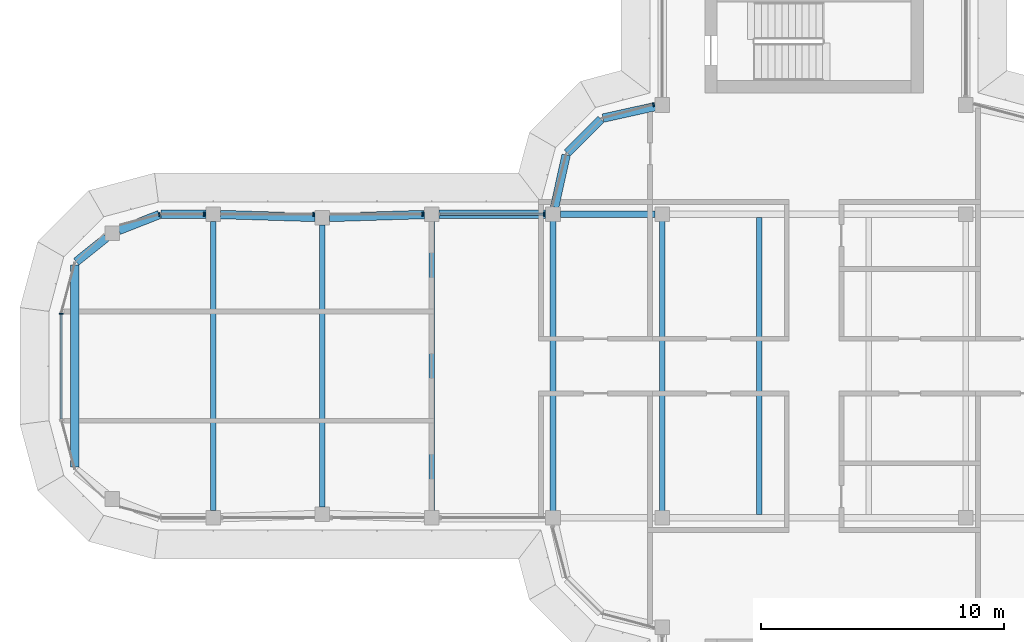
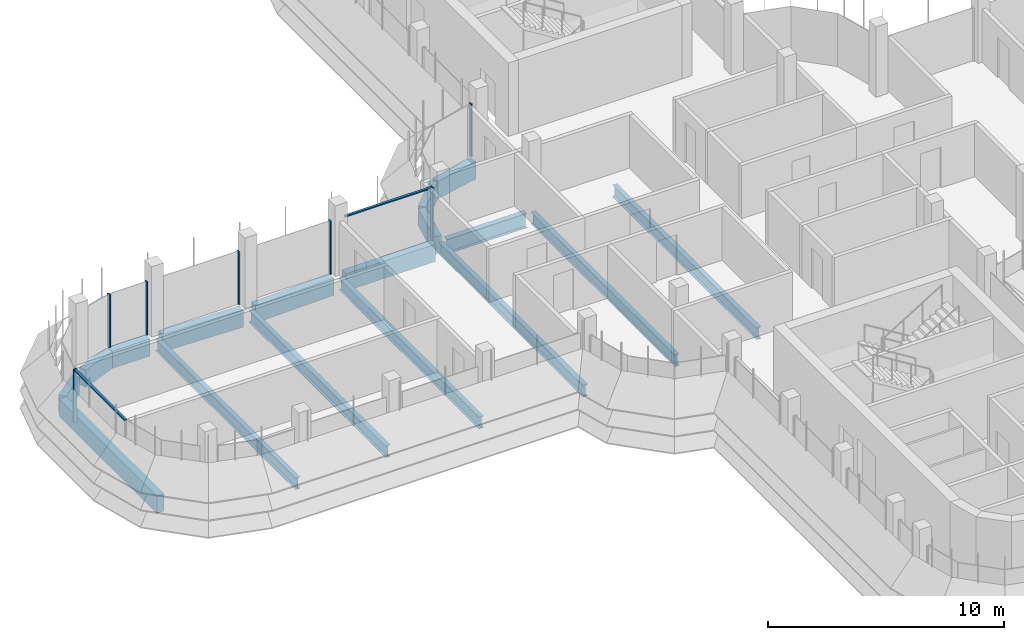
# One storey, part 6 of 19: 17 beams, 9 members, 4 elements without a shape of their own.
"""IFC4 building model written with IfcOpenShell, lengths in metres."""

from ifc_helpers import new_model, si_unit, direction, frame, origin, origin_2d, place, context, subcontext, project, spatial, polyline, rectangle, i_section, outline, extrude, source, transform, mapped, material, material_profile, profile_set, type_object, element, aggregate, save


model = new_model("IFC4")

# Units and contexts
model_context = context("Model", 3, precision=1e-05, world=origin(), true_north=direction((0.0, 1.0)))
body_context = subcontext(model_context, "Body", "Model", "MODEL_VIEW")
ifc_project = project(units=[si_unit("LENGTHUNIT", "METRE"), si_unit("AREAUNIT", "SQUARE_METRE"), si_unit("VOLUMEUNIT", "CUBIC_METRE"), si_unit("PLANEANGLEUNIT", "RADIAN"), si_unit("MASSUNIT", "GRAM", prefix="KILO")], contexts=[model_context])

# Site, building, storey
site_placement = place(None, origin())
site = spatial("IfcSite", under=ifc_project, at=site_placement, CompositionType="ELEMENT")
building_placement = place(site_placement, origin())
building = spatial("IfcBuilding", under=site, at=building_placement, Name="Zarbagh Exchange Tower", CompositionType="ELEMENT")
storey_placement = place(building_placement, frame((0.0, 0.0, 265.0)))
storey = spatial("IfcBuildingStorey", under=building, at=storey_placement, Name="L65", CompositionType="ELEMENT", Elevation=265.0)

# Beams
ifc_material_1 = material(Name="Steel ASTM A992 Gr 50", Category="steel")
ifc_material_profile_1 = material_profile(ifc_material_1, i_section(OverallWidth=0.228271484375, OverallDepth=0.607177734375, WebThickness=0.01123046875, FlangeThickness=0.017333984375, at=origin_2d()), Name="W24X76")
ifc_profile_set_1 = profile_set([ifc_material_profile_1], Name="Steel ASTM A992 Gr 50")
beam_type_1 = type_object("IfcBeamType", Name="Floor beam W24X76", PredefinedType="BEAM", material=ifc_profile_set_1)
for number, where, z_axis, x_axis, name in (
    (1, (-10.75, -6.11669921875, -0.45361328125), (0.0, 1.0, 0.0), (-1.0, 0.0, 0.0), "Steel floor beam"),
    (2, (-6.25, -6.11669921875, -0.45361328125), (0.0, 1.0, 0.0), (-1.0, 0.0, 0.0), "Steel floor beam"),
    (3, (-2.25, -6.11669921875, -0.45361328125), (0.0, 1.0, 0.0), (-1.0, 0.0, 0.0), "Steel floor beam"),
):
    element("IfcBeam", number, at=place(storey_placement, frame(where, z_axis=z_axis, x_axis=x_axis)), inside=storey, type_object=beam_type_1, Name=name, PredefinedType="BEAM", context=body_context, shape_type="SweptSolid", body=[
        extrude(i_section(OverallWidth=0.228271484375, OverallDepth=0.607177734375, WebThickness=0.01123046875, FlangeThickness=0.017333984375, at=origin_2d()), origin(), (0.0, 0.0, 1.0), 12.2333984375),
    ])
beam_1_placement = place(storey_placement, frame((-15.75, -5.949951171875, -0.45361328125), z_axis=(0.0, 1.0, 0.0), x_axis=(-1.0, 0.0, 0.0)))
element("IfcBeam", 4, at=beam_1_placement, inside=storey, type_object=beam_type_1, Name="Steel floor beam", PredefinedType="BEAM", context=body_context, shape_type="SweptSolid", body=[
    extrude(i_section(OverallWidth=0.228271484375, OverallDepth=0.607177734375, WebThickness=0.01123046875, FlangeThickness=0.017333984375, at=origin_2d()), origin(), (0.0, 0.0, 1.0), 11.89990234375),
])
beam_2_placement = place(storey_placement, frame((-20.25, -5.81005859375, -0.45361328125), z_axis=(0.0, 1.0, 0.0), x_axis=(-1.0, 0.0, 0.0)))
element("IfcBeam", 5, at=beam_2_placement, inside=storey, type_object=beam_type_1, Name="Steel floor beam", PredefinedType="BEAM", context=body_context, shape_type="SweptSolid", body=[
    extrude(i_section(OverallWidth=0.228271484375, OverallDepth=0.607177734375, WebThickness=0.01123046875, FlangeThickness=0.017333984375, at=origin_2d()), origin(), (0.0, 0.0, 1.0), 11.6201171875),
])
beam_3_placement = place(storey_placement, frame((-24.75, -5.949951171875, -0.45361328125), z_axis=(0.0, 1.0, 0.0), x_axis=(-1.0, 0.0, 0.0)))
element("IfcBeam", 6, at=beam_3_placement, inside=storey, type_object=beam_type_1, Name="Steel floor beam", PredefinedType="BEAM", context=body_context, shape_type="SweptSolid", body=[
    extrude(i_section(OverallWidth=0.228271484375, OverallDepth=0.607177734375, WebThickness=0.01123046875, FlangeThickness=0.017333984375, at=origin_2d()), origin(), (0.0, 0.0, 1.0), 11.89990234375),
])
ifc_material_profile_2 = material_profile(ifc_material_1, i_section(OverallWidth=0.2666015625, OverallDepth=0.7568359375, WebThickness=0.013916015625, FlangeThickness=0.019287109375, at=origin_2d()), Name="W30X108")
ifc_profile_set_2 = profile_set([ifc_material_profile_2], Name="Steel ASTM A992 Gr 50")
beam_type_2 = type_object("IfcBeamType", Name="Floor girder W30X108", PredefinedType="BEAM", material=ifc_profile_set_2)
beam_4_placement = place(storey_placement, frame((-10.449951171875, 6.25, -0.5283203125), z_axis=(1.0, 0.0, 0.0), x_axis=(0.0, 1.0, 0.0)))
element("IfcBeam", 7, at=beam_4_placement, inside=storey, type_object=beam_type_2, Name="Steel girder", PredefinedType="BEAM", context=body_context, shape_type="SweptSolid", body=[
    extrude(i_section(OverallWidth=0.2666015625, OverallDepth=0.7568359375, WebThickness=0.013916015625, FlangeThickness=0.019287109375, at=origin_2d()), origin(), (0.0, 0.0, 1.0), 3.89990234375),
])
ifc_material_2 = material(Name="Concrete C40/50", Category="concrete")
ifc_material_profile_3 = material_profile(ifc_material_2, rectangle(XDim=0.35009765625, YDim=0.89990234375, at=origin_2d()), Name="RC spandrel beam 350 x 900 C40/50")
ifc_profile_set_3 = profile_set([ifc_material_profile_3], Name="Concrete C40/50")
beam_type_3 = type_object("IfcBeamType", Name="RC spandrel beam 350 x 900 C40/50", PredefinedType="SPANDREL", material=ifc_profile_set_3)
beam_5_placement = place(storey_placement, frame((-30.44873046875, -4.156982421875, -0.60009765625), z_axis=(0.0, 1.0, 0.0), x_axis=(-1.0, 0.0, 0.0)))
element("IfcBeam", 8, at=beam_5_placement, inside=storey, type_object=beam_type_3, Name="RC spandrel beam", PredefinedType="SPANDREL", context=body_context, shape_type="SweptSolid", body=[
    extrude(rectangle(XDim=0.35009765625, YDim=0.89990234375, at=origin_2d()), origin(), (0.0, 0.0, 1.0), 8.31396484375),
])
beam_6_placement = place(storey_placement, frame((-30.38330078125, 4.293701171875, -0.60009765625), z_axis=(0.780584122498, 0.625050740104, 0.0), x_axis=(-0.625050740104, 0.780584122498, 0.0)))
element("IfcBeam", 9, at=beam_6_placement, inside=storey, type_object=beam_type_3, Name="RC spandrel beam", PredefinedType="SPANDREL", context=body_context, shape_type="SweptSolid", body=[
    extrude(rectangle(XDim=0.35009765625, YDim=0.89990234375, at=origin_2d()), origin(), (0.0, 0.0, 1.0), 1.590087890625),
])
beam_7_placement = place(storey_placement, frame((-28.62890625, 5.584716796875, -0.60009765625), z_axis=(0.930859366381, 0.365377667655, 0.0), x_axis=(-0.365377667655, 0.930859366381, 0.0)))
element("IfcBeam", 10, at=beam_7_placement, inside=storey, type_object=beam_type_3, Name="RC spandrel beam", PredefinedType="SPANDREL", context=body_context, shape_type="SweptSolid", body=[
    extrude(rectangle(XDim=0.35009765625, YDim=0.89990234375, at=origin_2d()), origin(), (0.0, 0.0, 1.0), 1.787353515625),
])
beam_8_placement = place(storey_placement, frame((-26.90087890625, 6.25, -0.60009765625), z_axis=(1.0, 0.0, 0.0), x_axis=(0.0, 1.0, 0.0)))
element("IfcBeam", 11, at=beam_8_placement, inside=storey, type_object=beam_type_3, Name="RC spandrel beam", PredefinedType="SPANDREL", context=body_context, shape_type="SweptSolid", body=[
    extrude(rectangle(XDim=0.35009765625, YDim=0.89990234375, at=origin_2d()), origin(), (0.0, 0.0, 1.0), 1.850830078125),
])
for number, where, z_axis, x_axis, name in (
    (12, (-24.4501953125, 6.24072265625, -0.60009765625), (0.999516460907, -0.031094121249, 0.0), (0.031094121249, 0.999516460907, 0.0), "RC spandrel beam"),
    (13, (-19.9501953125, 6.119384765625, -0.60009765625), (0.999516460907, 0.031094121249, 0.0), (-0.031094121249, 0.999516460907, 0.0), "RC spandrel beam"),
):
    element("IfcBeam", number, at=place(storey_placement, frame(where, z_axis=z_axis, x_axis=x_axis)), inside=storey, type_object=beam_type_3, Name=name, PredefinedType="SPANDREL", context=body_context, shape_type="SweptSolid", body=[
        extrude(rectangle(XDim=0.35009765625, YDim=0.89990234375, at=origin_2d()), origin(), (0.0, 0.0, 1.0), 3.90234375),
    ])
beam_9_placement = place(storey_placement, frame((-15.449951171875, 6.25, -0.60009765625), z_axis=(1.0, 0.0, 0.0), x_axis=(0.0, 1.0, 0.0)))
element("IfcBeam", 14, at=beam_9_placement, inside=storey, type_object=beam_type_3, Name="RC spandrel beam", PredefinedType="SPANDREL", context=body_context, shape_type="SweptSolid", body=[
    extrude(rectangle(XDim=0.35009765625, YDim=0.89990234375, at=origin_2d()), origin(), (0.0, 0.0, 1.0), 4.39990234375),
])
beam_10_placement = place(storey_placement, frame((-10.685302734375, 6.54296875, -0.60009765625), z_axis=(0.216025770228, 0.976387662047, 0.0), x_axis=(-0.976387662047, 0.216025770228, 0.0)))
element("IfcBeam", 15, at=beam_10_placement, inside=storey, type_object=beam_type_3, Name="RC spandrel beam", PredefinedType="SPANDREL", context=body_context, shape_type="SweptSolid", body=[
    extrude(rectangle(XDim=0.35009765625, YDim=0.89990234375, at=origin_2d()), origin(), (0.0, 0.0, 1.0), 2.200439453125),
])
beam_11_placement = place(storey_placement, frame((-10.16259765625, 8.77734375, -0.60009765625), z_axis=(0.707106781187, 0.707106781187, 0.0), x_axis=(-0.707106781187, 0.707106781187, 0.0)))
element("IfcBeam", 16, at=beam_11_placement, inside=storey, type_object=beam_type_3, Name="RC spandrel beam", PredefinedType="SPANDREL", context=body_context, shape_type="SweptSolid", body=[
    extrude(rectangle(XDim=0.35009765625, YDim=0.89990234375, at=origin_2d()), origin(), (0.0, 0.0, 1.0), 1.958984375),
])
beam_12_placement = place(storey_placement, frame((-8.69140625, 10.2099609375, -0.60009765625), z_axis=(0.976387662047, 0.216025770228, 0.0), x_axis=(-0.216025770228, 0.976387662047, 0.0)))
element("IfcBeam", 17, at=beam_12_placement, inside=storey, type_object=beam_type_3, Name="RC spandrel beam", PredefinedType="SPANDREL", context=body_context, shape_type="SweptSolid", body=[
    extrude(rectangle(XDim=0.35009765625, YDim=0.89990234375, at=origin_2d()), origin(), (0.0, 0.0, 1.0), 2.200439453125),
])

# Curtain wall, member
ifc_material_3 = material(Name="Anodised aluminium frame and glazing", Category="aluminium")
curtain_wall_type = type_object("IfcCurtainWallType", Name="CWB Ribbon glazing, upper zones", PredefinedType="NOTDEFINED", material=ifc_material_3)
curtain_wall_1_placement = place(storey_placement, origin())
curtain_wall_1 = element("IfcCurtainWall", 18, at=curtain_wall_1_placement, inside=storey, type_object=curtain_wall_type, Name="CWB29 curtain wall", PredefinedType="NOTDEFINED")
ifc_material_4 = material(Name="Anodised aluminium frame", Category="aluminium")
member_type_1 = type_object("IfcMemberType", Name="MUB Mullion, anodised aluminium frame", PredefinedType="MULLION", material=ifc_material_4)
shared_shape_1 = source(origin(), body_context, "Body", "SweptSolid", [
    extrude(outline(polyline([(0.0, -0.080078125), (0.06005859375, -0.080078125), (0.06005859375, 0.080078125), (0.0, 0.080078125), (0.0, -0.080078125)])), origin(), (0.0, 0.0, 1.0), 2.75),
])
placement = place(storey_placement, origin())
member_1 = element("IfcMember", 19, at=placement, type_object=member_type_1, Name="CWB29 mullion 1.1", PredefinedType="MULLION", context=body_context, shape_type="MappedRepresentation", body=[
    mapped(shared_shape_1, transform((-6.590087890625, 10.775146484375, 0.0), x_axis=(-0.965924289636, -0.258824779902, 0.0), y_axis=(0.258824779902, -0.965924289636, 0.0), z_axis=(0.0, 0.0, 1.0))),
])
aggregate(curtain_wall_1, [member_1])

# Curtain wall, members
curtain_wall_2_placement = place(storey_placement, origin())
curtain_wall_2 = element("IfcCurtainWall", 20, at=curtain_wall_2_placement, inside=storey, type_object=curtain_wall_type, Name="CWB58 curtain wall", PredefinedType="NOTDEFINED")
member_2 = element("IfcMember", 21, at=placement, type_object=member_type_1, Name="CWB58 mullion 1.1", PredefinedType="MULLION", context=body_context, shape_type="MappedRepresentation", body=[
    mapped(shared_shape_1, transform((-11.090087890625, 6.25, 0.0), x_axis=(-1.0, 0.0, 0.0), y_axis=(0.0, -1.0, 0.0), z_axis=(0.0, 0.0, 1.0))),
])
member_3 = element("IfcMember", 22, at=placement, type_object=member_type_1, Name="CWB58 mullion 2.1", PredefinedType="MULLION", context=body_context, shape_type="MappedRepresentation", body=[
    mapped(shared_shape_1, transform((-16.090087890625, 6.25, 0.0), x_axis=(-1.0, 0.0, 0.0), y_axis=(0.0, -1.0, 0.0), z_axis=(0.0, 0.0, 1.0))),
])
member_4 = element("IfcMember", 23, at=placement, type_object=member_type_1, Name="CWB58 mullion 3.1", PredefinedType="MULLION", context=body_context, shape_type="MappedRepresentation", body=[
    mapped(shared_shape_1, transform((-20.590087890625, 6.25, 0.0), x_axis=(-1.0, 0.0, 0.0), y_axis=(0.0, -1.0, 0.0), z_axis=(0.0, 0.0, 1.0))),
])
member_5 = element("IfcMember", 24, at=placement, type_object=member_type_1, Name="CWB58 mullion 4.1", PredefinedType="MULLION", context=body_context, shape_type="MappedRepresentation", body=[
    mapped(shared_shape_1, transform((-25.090087890625, 6.25, 0.0), x_axis=(-1.0, 0.0, 0.0), y_axis=(0.0, -1.0, 0.0), z_axis=(0.0, 0.0, 1.0))),
])

# Curtain wall, member
curtain_wall_3_placement = place(storey_placement, origin())
curtain_wall_3 = element("IfcCurtainWall", 25, at=curtain_wall_3_placement, inside=storey, type_object=curtain_wall_type, Name="CWB59 curtain wall", PredefinedType="NOTDEFINED")
member_6 = element("IfcMember", 26, at=placement, type_object=member_type_1, Name="CWB59 mullion 1.1", PredefinedType="MULLION", context=body_context, shape_type="MappedRepresentation", body=[
    mapped(shared_shape_1, transform((-26.93408203125, 6.25, 0.0), x_axis=(-0.965924289636, -0.258824779902, 0.0), y_axis=(0.258824779902, -0.965924289636, 0.0), z_axis=(0.0, 0.0, 1.0))),
])
aggregate(curtain_wall_3, [member_6])

# Curtain wall, members
curtain_wall_4_placement = place(storey_placement, origin())
curtain_wall_4 = element("IfcCurtainWall", 27, at=curtain_wall_4_placement, inside=storey, type_object=curtain_wall_type, Name="CWB66 curtain wall", PredefinedType="NOTDEFINED")
member_7 = element("IfcMember", 28, at=placement, type_object=member_type_1, Name="CWB66 mullion 1.1", PredefinedType="MULLION", context=body_context, shape_type="MappedRepresentation", body=[
    mapped(shared_shape_1, transform((-31.0, 2.18408203125, 0.0), x_axis=(0.0, -1.0, 0.0), y_axis=(1.0, 0.0, 0.0), z_axis=(0.0, 0.0, 1.0))),
])
member_type_2 = type_object("IfcMemberType", Name="TRB Transom, anodised aluminium frame", PredefinedType="USERDEFINED", material=ifc_material_4)
shared_shape_2 = source(origin(), body_context, "Body", "SweptSolid", [
    extrude(outline(polyline([(-0.06005859375, -0.06005859375), (0.0, -0.06005859375), (0.0, 0.06005859375), (-0.06005859375, 0.06005859375), (-0.06005859375, -0.06005859375)])), origin(), (0.0, 0.0, 1.0), 4.308349609375),
])
member_8 = element("IfcMember", 29, at=placement, type_object=member_type_2, Name="CWB66 transom 1.1", ObjectType="TRANSOM", PredefinedType="USERDEFINED", context=body_context, shape_type="MappedRepresentation", body=[
    mapped(shared_shape_2, transform((-31.0, 2.124267578125, 2.75), x_axis=(0.0, 0.0, 1.0), y_axis=(-1.0, 0.0, 0.0), z_axis=(0.0, -1.0, 0.0))),
])
aggregate(curtain_wall_4, [member_7, member_8])

# Member
shared_shape_3 = source(origin(), body_context, "Body", "SweptSolid", [
    extrude(outline(polyline([(-0.06005859375, -0.06005859375), (0.0, -0.06005859375), (0.0, 0.06005859375), (-0.06005859375, 0.06005859375), (-0.06005859375, -0.06005859375)])), origin(), (0.0, 0.0, 1.0), 4.260009765625),
])
member_9 = element("IfcMember", 30, at=placement, type_object=member_type_2, Name="CWB58 transom 1.1", ObjectType="TRANSOM", PredefinedType="USERDEFINED", context=body_context, shape_type="MappedRepresentation", body=[
    mapped(shared_shape_3, transform((-11.150146484375, 6.25, 2.75), x_axis=(0.0, 0.0, 1.0), y_axis=(0.0, 1.0, 0.0), z_axis=(-1.0, 0.0, 0.0))),
])

aggregate(curtain_wall_2, [member_2, member_9, member_3, member_4, member_5])

save(model, "model.ifc")
